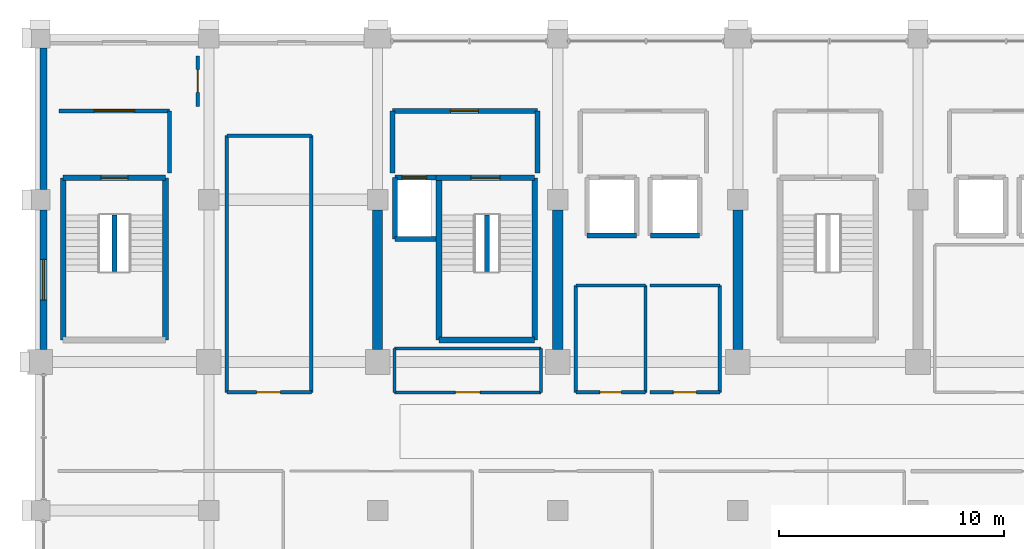
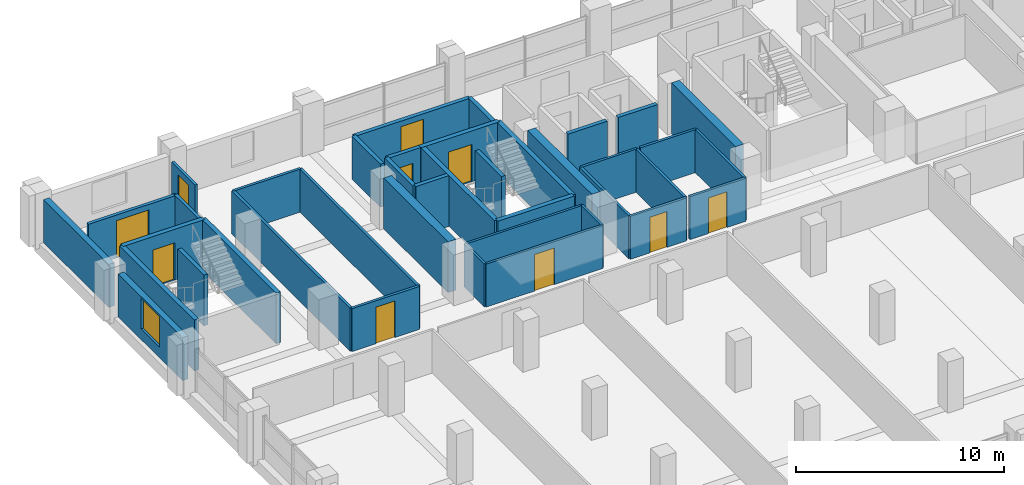
# One storey, part 17 of 21: 40 walls, 10 doors, 1 window, 11 openings.
"""IFC4 building model written with IfcOpenShell, lengths in metres."""

from ifc_helpers import new_model, si_unit, direction, frame, frame_2d, origin, place, context, subcontext, project, spatial, rectangle, extrude, material, layer, layer_set, type_object, element, fill, save


model = new_model("IFC4")

# Units and contexts
model_context = context("Model", 3, precision=1e-05, world=origin(), true_north=direction((0.0, 1.0)))
body_context = subcontext(model_context, "Body", "Model", "MODEL_VIEW")
ifc_project = project(units=[si_unit("LENGTHUNIT", "METRE"), si_unit("AREAUNIT", "SQUARE_METRE"), si_unit("VOLUMEUNIT", "CUBIC_METRE"), si_unit("PLANEANGLEUNIT", "RADIAN"), si_unit("MASSUNIT", "GRAM", prefix="KILO")], contexts=[model_context])

# Site, building, storey
site_placement = place(None, origin())
site = spatial("IfcSite", under=ifc_project, at=site_placement, CompositionType="ELEMENT")
building_placement = place(site_placement, origin())
building = spatial("IfcBuilding", under=site, at=building_placement, Name="Akrevak Sports Hall", CompositionType="ELEMENT")
storey_placement = place(building_placement, frame((0.0, 0.0, 27.550048828125)))
storey = spatial("IfcBuildingStorey", under=building, at=storey_placement, Name="L05", CompositionType="ELEMENT", Elevation=27.550048828125)

# Wall
ifc_material_1 = material(Name="Limestone Ashlar", Category="stone")
ifc_layer_1 = layer(ifc_material_1, 0.070068359375, Name="Limestone Ashlar")
ifc_material_2 = material(Name="Mineral Wool Thermal Insulation", Category="insulation")
ifc_layer_2 = layer(ifc_material_2, 0.090087890625, Name="Mineral Wool Thermal Insulation")
ifc_material_3 = material(Name="Concrete C40/50", Category="concrete")
ifc_layer_3 = layer(ifc_material_3, 0.159912109375, Name="Concrete C40/50")
ifc_layer_set_1 = layer_set([ifc_layer_1, ifc_layer_2, ifc_layer_3], Name="Limestone Ashlar / Mineral Wool Thermal Insulation / Concrete C40/50")
wall_type_1 = type_object("IfcWallType", Name="ARC-WL-EXT-320", PredefinedType="SOLIDWALL", material=ifc_layer_set_1)
wall_1_placement = place(storey_placement, frame((45.159912109375, 69.14990234375, 0.0), z_axis=(0.0, 0.0, 1.0), x_axis=(0.0, -1.0, 0.0)))
element("IfcWall", 1, at=wall_1_placement, inside=storey, type_object=wall_type_1, Name="Tower Stone Facade Wall L05-W28", PredefinedType="SOLIDWALL", context=body_context, shape_type="SweptSolid", body=[
    extrude(rectangle(XDim=6.2998046875, YDim=0.320068359375, at=frame_2d((3.14990234375, 0.0))), origin(), (0.0, 0.0, 1.0), 2.530029296875),
])

# Wall, opening, window
wall_2_placement = place(storey_placement, frame((45.159912109375, 61.949951171875, 0.0), z_axis=(0.0, 0.0, 1.0), x_axis=(0.0, -1.0, 0.0)))
wall_2 = element("IfcWall", 2, at=wall_2_placement, inside=storey, type_object=wall_type_1, Name="Tower Stone Facade Wall L05-W29", PredefinedType="SOLIDWALL", context=body_context, shape_type="SweptSolid", body=[
    extrude(rectangle(XDim=6.199951171875, YDim=0.320068359375, at=frame_2d((3.10009765625, 0.0))), origin(), (0.0, 0.0, 1.0), 2.530029296875),
])
opening_1_placement = place(wall_2_placement, frame((2.199951171875, 0.0, 0.6201171875)))
opening_1 = element("IfcOpeningElement", 3, at=opening_1_placement, cuts=wall_2, Name="Opening WN-54", PredefinedType="OPENING", context=body_context, shape_type="SweptSolid", body=[
    extrude(rectangle(XDim=1.800048828125, YDim=1.81005859375, at=frame_2d((0.89990234375, 0.905029296875))), frame((0.0, 0.171875, 0.0), z_axis=(0.0, -1.0, 0.0), x_axis=(1.0, 0.0, 0.0)), (0.0, 0.0, 1.0), 0.343994140625),
])
ifc_material_4 = material(Name="Thermally Broken Bronze Frame & Double Low-E Glass", Category="glass")
window_type = type_object("IfcWindowType", Name="ARC-WIN-SZ-1800x1810", PartitioningType="SINGLE_PANEL", PredefinedType="WINDOW", material=ifc_material_4)
window_placement = place(opening_1_placement, origin())
window = element("IfcWindow", 4, at=window_placement, inside=storey, type_object=window_type, Name="Tower Window L05-W29", OverallHeight=1.81005859375, OverallWidth=1.800048828125, PartitioningType="SINGLE_PANEL", PredefinedType="WINDOW", context=body_context, shape_type="SweptSolid", body=[
    extrude(rectangle(XDim=1.800048828125, YDim=1.81005859375, at=frame_2d((0.89990234375, 0.905029296875))), frame((0.0, 0.030029296875, 0.0), z_axis=(0.0, -1.0, 0.0), x_axis=(1.0, 0.0, 0.0)), (0.0, 0.0, 1.0), 0.06005859375),
])
fill(opening_1, window)

# Wall, opening, door
ifc_material_5 = material(Name="Acoustic Metal Stud Partition", Category="gypsum")
ifc_layer_4 = layer(ifc_material_5, 0.1298828125, Name="Acoustic Metal Stud Partition")
ifc_layer_set_2 = layer_set([ifc_layer_4], Name="Acoustic Metal Stud Partition")
wall_type_2 = type_object("IfcWallType", Name="ARC-WL-PRT-130", PredefinedType="PARTITIONING", material=ifc_layer_set_2)
wall_3_placement = place(storey_placement, frame((60.75, 53.85009765625, 0.0), z_axis=(0.0, 0.0, 1.0), x_axis=(1.0, 0.0, 0.0)))
wall_3 = element("IfcWall", 5, at=wall_3_placement, inside=storey, type_object=wall_type_2, Name="Interior Partition Federation Technical Office L05-CW (S)", PredefinedType="PARTITIONING", context=body_context, shape_type="SweptSolid", body=[
    extrude(rectangle(XDim=6.5, YDim=0.1298828125, at=frame_2d((3.25, 0.0))), origin(), (0.0, 0.0, 1.0), 2.530029296875),
])
opening_2_placement = place(wall_3_placement, frame((2.699951171875, 0.0, 0.0)))
opening_2 = element("IfcOpeningElement", 6, at=opening_2_placement, cuts=wall_3, Name="Opening ID-04", PredefinedType="OPENING", context=body_context, shape_type="SweptSolid", body=[
    extrude(rectangle(XDim=1.10009765625, YDim=2.14990234375, at=frame_2d((0.550048828125, 1.074951171875))), frame((0.0, 0.076904296875, 0.0), z_axis=(0.0, -1.0, 0.0), x_axis=(1.0, 0.0, 0.0)), (0.0, 0.0, 1.0), 0.15380859375),
])
ifc_material_6 = material(Name="Hardwood Oak Acoustic Leaf", Category="wood")
door_type_1 = type_object("IfcDoorType", Name="ARC-DR-OFF-110x215", OperationType="NOTDEFINED", PredefinedType="DOOR", material=ifc_material_6)
door_1_placement = place(opening_2_placement, frame((1.10009765625, 0.0, 0.0), z_axis=(0.0, 0.0, 1.0), x_axis=(-1.0, 0.0, 0.0)))
door_1 = element("IfcDoor", 7, at=door_1_placement, inside=storey, type_object=door_type_1, Name="Door to Federation Technical Office L05-CW", OperationType="SINGLE_SWING_RIGHT", OverallHeight=2.14990234375, OverallWidth=1.10009765625, PredefinedType="DOOR", context=body_context, shape_type="SweptSolid", body=[
    extrude(rectangle(XDim=1.10009765625, YDim=2.14990234375, at=frame_2d((0.550048828125, 1.074951171875))), frame((0.0, 0.02490234375, 0.0), z_axis=(0.0, -1.0, 0.0), x_axis=(1.0, 0.0, 0.0)), (0.0, 0.0, 1.0), 0.050048828125),
])
fill(opening_2, door_1)

# Walls
wall_4_placement = place(storey_placement, frame((60.75, 55.800048828125, 0.0), z_axis=(0.0, 0.0, 1.0), x_axis=(1.0, 0.0, 0.0)))
element("IfcWall", 8, at=wall_4_placement, inside=storey, type_object=wall_type_2, Name="Interior Partition Federation Technical Office L05-CW (N)", PredefinedType="PARTITIONING", context=body_context, shape_type="SweptSolid", body=[
    extrude(rectangle(XDim=6.5, YDim=0.1298828125, at=frame_2d((3.25, 0.0))), origin(), (0.0, 0.0, 1.0), 2.530029296875),
])
for number, where, z_axis, x_axis, name in (
    (9, (60.75, 53.85009765625, 0.0), (0.0, 0.0, 1.0), (0.0, 1.0, 0.0), "Interior Partition Federation Technical Office L05-CW (W)"),
    (10, (67.25, 53.85009765625, 0.0), (0.0, 0.0, 1.0), (0.0, 1.0, 0.0), "Interior Partition Federation Technical Office L05-CW (E)"),
):
    element("IfcWall", number, at=place(storey_placement, frame(where, z_axis=z_axis, x_axis=x_axis)), inside=storey, type_object=wall_type_2, Name=name, PredefinedType="PARTITIONING", context=body_context, shape_type="SweptSolid", body=[
        extrude(rectangle(XDim=1.949951171875, YDim=0.1298828125, at=frame_2d((0.97509765625, 0.0))), origin(), (0.0, 0.0, 1.0), 2.530029296875),
    ])

# Wall, opening, door
ifc_material_7 = material(Name="Moisture-Resistant Wet-Area Partition", Category="gypsum")
ifc_layer_5 = layer(ifc_material_7, 0.139892578125, Name="Moisture-Resistant Wet-Area Partition")
ifc_layer_set_3 = layer_set([ifc_layer_5], Name="Moisture-Resistant Wet-Area Partition")
wall_type_3 = type_object("IfcWallType", Name="ARC-WL-PRT-140", PredefinedType="PARTITIONING", material=ifc_layer_set_3)
wall_5_placement = place(storey_placement, frame((68.800048828125, 53.85009765625, 0.0), z_axis=(0.0, 0.0, 1.0), x_axis=(1.0, 0.0, 0.0)))
wall_5 = element("IfcWall", 11, at=wall_5_placement, inside=storey, type_object=wall_type_3, Name="Interior Partition Men WC L05 (S)", PredefinedType="PARTITIONING", context=body_context, shape_type="SweptSolid", body=[
    extrude(rectangle(XDim=3.099853515625, YDim=0.139892578125, at=frame_2d((1.5498046875, 0.0))), origin(), (0.0, 0.0, 1.0), 2.530029296875),
])
opening_3_placement = place(wall_5_placement, frame((1.074951171875, 0.0, 0.0)))
opening_3 = element("IfcOpeningElement", 12, at=opening_3_placement, cuts=wall_5, Name="Opening ID-08", PredefinedType="OPENING", context=body_context, shape_type="SweptSolid", body=[
    extrude(rectangle(XDim=0.949951171875, YDim=2.10009765625, at=frame_2d((0.47509765625, 1.050048828125))), frame((0.0, 0.08203125, 0.0), z_axis=(0.0, -1.0, 0.0), x_axis=(1.0, 0.0, 0.0)), (0.0, 0.0, 1.0), 0.163818359375),
])
ifc_material_8 = material(Name="High-Pressure Laminate & Aluminium", Category="aluminium")
door_type_2 = type_object("IfcDoorType", Name="ARC-DR-WC-095x210", OperationType="NOTDEFINED", PredefinedType="DOOR", material=ifc_material_8)
door_2_placement = place(opening_3_placement, frame((0.949951171875, 0.0, 0.0), z_axis=(0.0, 0.0, 1.0), x_axis=(-1.0, 0.0, 0.0)))
door_2 = element("IfcDoor", 13, at=door_2_placement, inside=storey, type_object=door_type_2, Name="Door to Men WC L05", OperationType="SINGLE_SWING_RIGHT", OverallHeight=2.10009765625, OverallWidth=0.949951171875, PredefinedType="DOOR", context=body_context, shape_type="SweptSolid", body=[
    extrude(rectangle(XDim=0.949951171875, YDim=2.10009765625, at=frame_2d((0.47509765625, 1.050048828125))), frame((0.0, 0.02490234375, 0.0), z_axis=(0.0, -1.0, 0.0), x_axis=(1.0, 0.0, 0.0)), (0.0, 0.0, 1.0), 0.050048828125),
])
fill(opening_3, door_2)

# Walls
wall_6_placement = place(storey_placement, frame((68.800048828125, 58.60009765625, 0.0), z_axis=(0.0, 0.0, 1.0), x_axis=(1.0, 0.0, 0.0)))
element("IfcWall", 14, at=wall_6_placement, inside=storey, type_object=wall_type_3, Name="Interior Partition Men WC L05 (N)", PredefinedType="PARTITIONING", context=body_context, shape_type="SweptSolid", body=[
    extrude(rectangle(XDim=3.099853515625, YDim=0.139892578125, at=frame_2d((1.5498046875, 0.0))), origin(), (0.0, 0.0, 1.0), 2.530029296875),
])
for number, where, z_axis, x_axis, name in (
    (15, (68.800048828125, 53.85009765625, 0.0), (0.0, 0.0, 1.0), (0.0, 1.0, 0.0), "Interior Partition Men WC L05 (W)"),
    (16, (71.89990234375, 53.85009765625, 0.0), (0.0, 0.0, 1.0), (0.0, 1.0, 0.0), "Interior Partition Men WC L05 (E)"),
):
    element("IfcWall", number, at=place(storey_placement, frame(where, z_axis=z_axis, x_axis=x_axis)), inside=storey, type_object=wall_type_3, Name=name, PredefinedType="PARTITIONING", context=body_context, shape_type="SweptSolid", body=[
        extrude(rectangle(XDim=4.75, YDim=0.139892578125, at=frame_2d((2.375, 0.0))), origin(), (0.0, 0.0, 1.0), 2.530029296875),
    ])

# Wall, opening, door
wall_7_placement = place(storey_placement, frame((72.10009765625, 53.85009765625, 0.0), z_axis=(0.0, 0.0, 1.0), x_axis=(1.0, 0.0, 0.0)))
wall_7 = element("IfcWall", 17, at=wall_7_placement, inside=storey, type_object=wall_type_3, Name="Interior Partition Accessible WC L05 (S)", PredefinedType="PARTITIONING", context=body_context, shape_type="SweptSolid", body=[
    extrude(rectangle(XDim=3.099853515625, YDim=0.139892578125, at=frame_2d((1.5498046875, 0.0))), origin(), (0.0, 0.0, 1.0), 2.530029296875),
])
opening_4_placement = place(wall_7_placement, frame((1.0400390625, 0.0, 0.0)))
opening_4 = element("IfcOpeningElement", 18, at=opening_4_placement, cuts=wall_7, Name="Opening ID-09", PredefinedType="OPENING", context=body_context, shape_type="SweptSolid", body=[
    extrude(rectangle(XDim=1.02001953125, YDim=2.10009765625, at=frame_2d((0.510009765625, 1.050048828125))), frame((0.0, 0.08203125, 0.0), z_axis=(0.0, -1.0, 0.0), x_axis=(1.0, 0.0, 0.0)), (0.0, 0.0, 1.0), 0.163818359375),
])
door_type_3 = type_object("IfcDoorType", Name="ARC-DR-AWC-102x210", OperationType="NOTDEFINED", PredefinedType="DOOR", material=ifc_material_8)
door_3_placement = place(opening_4_placement, origin())
door_3 = element("IfcDoor", 19, at=door_3_placement, inside=storey, type_object=door_type_3, Name="Door to Accessible WC L05", OperationType="SINGLE_SWING_LEFT", OverallHeight=2.10009765625, OverallWidth=1.02001953125, PredefinedType="DOOR", context=body_context, shape_type="SweptSolid", body=[
    extrude(rectangle(XDim=1.02001953125, YDim=2.10009765625, at=frame_2d((0.510009765625, 1.050048828125))), frame((0.0, 0.02490234375, 0.0), z_axis=(0.0, -1.0, 0.0), x_axis=(1.0, 0.0, 0.0)), (0.0, 0.0, 1.0), 0.050048828125),
])
fill(opening_4, door_3)

# Walls
wall_8_placement = place(storey_placement, frame((72.10009765625, 58.60009765625, 0.0), z_axis=(0.0, 0.0, 1.0), x_axis=(1.0, 0.0, 0.0)))
element("IfcWall", 20, at=wall_8_placement, inside=storey, type_object=wall_type_3, Name="Interior Partition Accessible WC L05 (N)", PredefinedType="PARTITIONING", context=body_context, shape_type="SweptSolid", body=[
    extrude(rectangle(XDim=3.099853515625, YDim=0.139892578125, at=frame_2d((1.5498046875, 0.0))), origin(), (0.0, 0.0, 1.0), 2.530029296875),
])
wall_9_placement = place(storey_placement, frame((75.199951171875, 53.85009765625, 0.0), z_axis=(0.0, 0.0, 1.0), x_axis=(0.0, 1.0, 0.0)))
element("IfcWall", 21, at=wall_9_placement, inside=storey, type_object=wall_type_3, Name="Interior Partition Accessible WC L05 (E)", PredefinedType="PARTITIONING", context=body_context, shape_type="SweptSolid", body=[
    extrude(rectangle(XDim=4.75, YDim=0.139892578125, at=frame_2d((2.375, 0.0))), origin(), (0.0, 0.0, 1.0), 2.530029296875),
])

# Wall, opening, door
ifc_material_9 = material(Name="Double Stud Acoustic Gypsum Partition", Category="gypsum")
ifc_layer_6 = layer(ifc_material_9, 0.14990234375, Name="Double Stud Acoustic Gypsum Partition")
ifc_layer_set_4 = layer_set([ifc_layer_6], Name="Double Stud Acoustic Gypsum Partition")
wall_type_4 = type_object("IfcWallType", Name="ARC-WL-PRT-150", PredefinedType="PARTITIONING", material=ifc_layer_set_4)
wall_10_placement = place(storey_placement, frame((53.300048828125, 53.85009765625, 0.0), z_axis=(0.0, 0.0, 1.0), x_axis=(1.0, 0.0, 0.0)))
wall_10 = element("IfcWall", 22, at=wall_10_placement, inside=storey, type_object=wall_type_4, Name="Interior Partition Federation Research Office L05-W1 (S)", PredefinedType="PARTITIONING", context=body_context, shape_type="SweptSolid", body=[
    extrude(rectangle(XDim=3.75, YDim=0.14990234375, at=frame_2d((1.875, 0.0))), origin(), (0.0, 0.0, 1.0), 2.530029296875),
])
opening_5_placement = place(wall_10_placement, frame((1.324951171875, 0.0, 0.0)))
opening_5 = element("IfcOpeningElement", 23, at=opening_5_placement, cuts=wall_10, Name="Opening ID-05", PredefinedType="OPENING", context=body_context, shape_type="SweptSolid", body=[
    extrude(rectangle(XDim=1.050048828125, YDim=2.14990234375, at=frame_2d((0.52490234375, 1.074951171875))), frame((0.0, 0.0869140625, 0.0), z_axis=(0.0, -1.0, 0.0), x_axis=(1.0, 0.0, 0.0)), (0.0, 0.0, 1.0), 0.173828125),
])
door_type_4 = type_object("IfcDoorType", Name="ARC-DR-OFF-105x215", OperationType="NOTDEFINED", PredefinedType="DOOR", material=ifc_material_6)
door_4_placement = place(opening_5_placement, origin())
door_4 = element("IfcDoor", 24, at=door_4_placement, inside=storey, type_object=door_type_4, Name="Door to Federation Research Office L05-W1", OperationType="SINGLE_SWING_LEFT", OverallHeight=2.14990234375, OverallWidth=1.050048828125, PredefinedType="DOOR", context=body_context, shape_type="SweptSolid", body=[
    extrude(rectangle(XDim=1.050048828125, YDim=2.14990234375, at=frame_2d((0.52490234375, 1.074951171875))), frame((0.0, 0.02490234375, 0.0), z_axis=(0.0, -1.0, 0.0), x_axis=(1.0, 0.0, 0.0)), (0.0, 0.0, 1.0), 0.050048828125),
])
fill(opening_5, door_4)

# Walls
wall_11_placement = place(storey_placement, frame((53.300048828125, 65.25, 0.0), z_axis=(0.0, 0.0, 1.0), x_axis=(1.0, 0.0, 0.0)))
element("IfcWall", 25, at=wall_11_placement, inside=storey, type_object=wall_type_4, Name="Interior Partition Federation Research Office L05-W1 (N)", PredefinedType="PARTITIONING", context=body_context, shape_type="SweptSolid", body=[
    extrude(rectangle(XDim=3.75, YDim=0.14990234375, at=frame_2d((1.875, 0.0))), origin(), (0.0, 0.0, 1.0), 2.530029296875),
])
for number, where, z_axis, x_axis, name in (
    (26, (53.300048828125, 53.85009765625, 0.0), (0.0, 0.0, 1.0), (0.0, 1.0, 0.0), "Interior Partition Federation Research Office L05-W1 (W)"),
    (27, (57.050048828125, 53.85009765625, 0.0), (0.0, 0.0, 1.0), (0.0, 1.0, 0.0), "Interior Partition Federation Research Office L05-W1 (E)"),
):
    element("IfcWall", number, at=place(storey_placement, frame(where, z_axis=z_axis, x_axis=x_axis)), inside=storey, type_object=wall_type_4, Name=name, PredefinedType="PARTITIONING", context=body_context, shape_type="SweptSolid", body=[
        extrude(rectangle(XDim=11.39990234375, YDim=0.14990234375, at=frame_2d((5.699951171875, 0.0))), origin(), (0.0, 0.0, 1.0), 2.530029296875),
    ])

# Wall, opening, door
wall_12_placement = place(storey_placement, frame((52.0, 66.550048828125, 0.0), z_axis=(0.0, 0.0, 1.0), x_axis=(0.0, 1.0, 0.0)))
wall_12 = element("IfcWall", 28, at=wall_12_placement, inside=storey, type_object=wall_type_4, Name="Interior Partition Federation Records Office L05-NW (E)", PredefinedType="PARTITIONING", context=body_context, shape_type="SweptSolid", body=[
    extrude(rectangle(XDim=2.25, YDim=0.14990234375, at=frame_2d((1.125, 0.0))), origin(), (0.0, 0.0, 1.0), 2.530029296875),
])
opening_6_placement = place(wall_12_placement, frame((0.6298828125, 0.0, 0.0)))
opening_6 = element("IfcOpeningElement", 29, at=opening_6_placement, cuts=wall_12, Name="Opening ID-06", PredefinedType="OPENING", context=body_context, shape_type="SweptSolid", body=[
    extrude(rectangle(XDim=1.0, YDim=2.14990234375, at=frame_2d((0.5, 1.074951171875))), frame((0.0, 0.0869140625, 0.0), z_axis=(0.0, -1.0, 0.0), x_axis=(1.0, 0.0, 0.0)), (0.0, 0.0, 1.0), 0.173828125),
])
door_type_5 = type_object("IfcDoorType", Name="ARC-DR-OFF-100x215", OperationType="NOTDEFINED", PredefinedType="DOOR", material=ifc_material_6)
door_5_placement = place(opening_6_placement, origin())
door_5 = element("IfcDoor", 30, at=door_5_placement, inside=storey, type_object=door_type_5, Name="Door to Federation Records Office L05-NW", OperationType="SINGLE_SWING_LEFT", OverallHeight=2.14990234375, OverallWidth=1.0, PredefinedType="DOOR", context=body_context, shape_type="SweptSolid", body=[
    extrude(rectangle(XDim=1.0, YDim=2.14990234375, at=frame_2d((0.5, 1.074951171875))), frame((0.0, 0.02490234375, 0.0), z_axis=(0.0, -1.0, 0.0), x_axis=(1.0, 0.0, 0.0)), (0.0, 0.0, 1.0), 0.050048828125),
])
fill(opening_6, door_5)

ifc_material_10 = material(Name="Autoclaved Aerated Masonry Block", Category="masonry")
ifc_layer_7 = layer(ifc_material_10, 0.179931640625, Name="Autoclaved Aerated Masonry Block")
ifc_layer_set_5 = layer_set([ifc_layer_7], Name="Autoclaved Aerated Masonry Block")
wall_type_5 = type_object("IfcWallType", Name="ARC-WL-PRT-180", PredefinedType="PARTITIONING", material=ifc_layer_set_5)
wall_13_placement = place(storey_placement, frame((45.85009765625, 66.35009765625, 0.0), z_axis=(0.0, 0.0, 1.0), x_axis=(1.0, 0.0, 0.0)))
wall_13 = element("IfcWall", 31, at=wall_13_placement, inside=storey, type_object=wall_type_5, Name="Interior Partition West Wing Stair ST4 Vestibule L05 (N)", PredefinedType="PARTITIONING", context=body_context, shape_type="SweptSolid", body=[
    extrude(rectangle(XDim=4.89990234375, YDim=0.179931640625, at=frame_2d((2.449951171875, 0.0))), origin(), (0.0, 0.0, 1.0), 2.530029296875),
])
opening_7_placement = place(wall_13_placement, frame((1.550048828125, 0.0, 0.0)))
opening_7 = element("IfcOpeningElement", 32, at=opening_7_placement, cuts=wall_13, Name="Opening FD-02", PredefinedType="OPENING", context=body_context, shape_type="SweptSolid", body=[
    extrude(rectangle(XDim=1.800048828125, YDim=2.199951171875, at=frame_2d((0.89990234375, 1.10009765625))), frame((0.0, 0.10205078125, 0.0), z_axis=(0.0, -1.0, 0.0), x_axis=(1.0, 0.0, 0.0)), (0.0, 0.0, 1.0), 0.203857421875),
])
ifc_material_11 = material(Name="Fire-Rated Galvanized Door Steel", Category="steel")
door_type_6 = type_object("IfcDoorType", Name="ARC-DR-FIRE-180x220", OperationType="DOUBLE_DOOR_SINGLE_SWING", PredefinedType="DOOR", material=ifc_material_11)
door_6_placement = place(opening_7_placement, frame((1.800048828125, 0.0, 0.0), z_axis=(0.0, 0.0, 1.0), x_axis=(-1.0, 0.0, 0.0)))
door_6 = element("IfcDoor", 33, at=door_6_placement, inside=storey, type_object=door_type_6, Name="Door to West Wing Stair ST4 Vestibule L05", OperationType="DOUBLE_DOOR_SINGLE_SWING", OverallHeight=2.199951171875, OverallWidth=1.800048828125, PredefinedType="DOOR", context=body_context, shape_type="SweptSolid", body=[
    extrude(rectangle(XDim=1.800048828125, YDim=2.199951171875, at=frame_2d((0.89990234375, 1.10009765625))), frame((0.0, 0.02490234375, 0.0), z_axis=(0.0, -1.0, 0.0), x_axis=(1.0, 0.0, 0.0)), (0.0, 0.0, 1.0), 0.050048828125),
])
fill(opening_7, door_6)

# Walls
wall_14_placement = place(storey_placement, frame((50.75, 63.60009765625, 0.0), z_axis=(0.0, 0.0, 1.0), x_axis=(0.0, 1.0, 0.0)))
element("IfcWall", 34, at=wall_14_placement, inside=storey, type_object=wall_type_5, Name="Interior Partition West Wing Stair ST4 Vestibule L05 (E)", PredefinedType="PARTITIONING", context=body_context, shape_type="SweptSolid", body=[
    extrude(rectangle(XDim=2.75, YDim=0.179931640625, at=frame_2d((1.375, 0.0))), origin(), (0.0, 0.0, 1.0), 2.530029296875),
])
ifc_layer_8 = layer(ifc_material_3, 0.219970703125, Name="Concrete C40/50")
ifc_layer_set_6 = layer_set([ifc_layer_8], Name="Concrete C40/50")
wall_type_6 = type_object("IfcWallType", Name="ARC-WL-PRT-220", PredefinedType="PARTITIONING", material=ifc_layer_set_6)
for number, where, z_axis, x_axis, name in (
    (35, (64.85009765625, 59.215087890625, 0.0), (0.0, 0.0, 1.0), (0.0, 1.0, 0.0), "Stair ST1 Central Spine Wall (L05)"),
    (36, (48.300048828125, 59.215087890625, 0.0), (0.0, 0.0, 1.0), (0.0, 1.0, 0.0), "Stair ST4 Central Spine Wall (L05)"),
):
    element("IfcWall", number, at=place(storey_placement, frame(where, z_axis=z_axis, x_axis=x_axis)), inside=storey, type_object=wall_type_6, Name=name, PredefinedType="PARTITIONING", context=body_context, shape_type="SweptSolid", body=[
        extrude(rectangle(XDim=2.52001953125, YDim=0.219970703125, at=frame_2d((1.260009765625, 0.0))), origin(), (0.0, 0.0, 1.0), 2.989990234375),
    ])

# Wall, opening, door
wall_15_placement = place(storey_placement, frame((60.64990234375, 66.35009765625, 0.0), z_axis=(0.0, 0.0, 1.0), x_axis=(1.0, 0.0, 0.0)))
wall_15 = element("IfcWall", 37, at=wall_15_placement, inside=storey, type_object=wall_type_6, Name="Interior Partition Firefighting Lobby West L05 (N)", PredefinedType="PARTITIONING", context=body_context, shape_type="SweptSolid", body=[
    extrude(rectangle(XDim=6.4501953125, YDim=0.219970703125, at=frame_2d((3.22509765625, 0.0))), origin(), (0.0, 0.0, 1.0), 2.530029296875),
])
opening_8_placement = place(wall_15_placement, frame((2.574951171875, 0.0, 0.0)))
opening_8 = element("IfcOpeningElement", 38, at=opening_8_placement, cuts=wall_15, Name="Opening FD-01", PredefinedType="OPENING", context=body_context, shape_type="SweptSolid", body=[
    extrude(rectangle(XDim=1.25, YDim=2.199951171875, at=frame_2d((0.625, 1.10009765625))), frame((0.0, 0.1220703125, 0.0), z_axis=(0.0, -1.0, 0.0), x_axis=(1.0, 0.0, 0.0)), (0.0, 0.0, 1.0), 0.243896484375),
])
door_type_7 = type_object("IfcDoorType", Name="ARC-DR-FFL-125x220", OperationType="NOTDEFINED", PredefinedType="DOOR", material=ifc_material_11)
door_7_placement = place(opening_8_placement, frame((1.25, 0.0, 0.0), z_axis=(0.0, 0.0, 1.0), x_axis=(-1.0, 0.0, 0.0)))
door_7 = element("IfcDoor", 39, at=door_7_placement, inside=storey, type_object=door_type_7, Name="Door to Firefighting Lobby West L05", OperationType="SINGLE_SWING_RIGHT", OverallHeight=2.199951171875, OverallWidth=1.25, PredefinedType="DOOR", context=body_context, shape_type="SweptSolid", body=[
    extrude(rectangle(XDim=1.25, YDim=2.199951171875, at=frame_2d((0.625, 1.10009765625))), frame((0.0, 0.02490234375, 0.0), z_axis=(0.0, -1.0, 0.0), x_axis=(1.0, 0.0, 0.0)), (0.0, 0.0, 1.0), 0.050048828125),
])
fill(opening_8, door_7)

# Walls
for number, where, z_axis, x_axis, name in (
    (40, (60.64990234375, 63.60009765625, 0.0), (0.0, 0.0, 1.0), (0.0, 1.0, 0.0), "Interior Partition Firefighting Lobby West L05 (W)"),
    (41, (67.10009765625, 63.60009765625, 0.0), (0.0, 0.0, 1.0), (0.0, 1.0, 0.0), "Interior Partition Firefighting Lobby West L05 (E)"),
):
    element("IfcWall", number, at=place(storey_placement, frame(where, z_axis=z_axis, x_axis=x_axis)), inside=storey, type_object=wall_type_6, Name=name, PredefinedType="PARTITIONING", context=body_context, shape_type="SweptSolid", body=[
        extrude(rectangle(XDim=2.75, YDim=0.219970703125, at=frame_2d((1.375, 0.0))), origin(), (0.0, 0.0, 1.0), 2.530029296875),
    ])
ifc_material_12 = material(Name="Concrete C50/60", Category="concrete")
ifc_layer_9 = layer(ifc_material_12, 0.219970703125, Name="Concrete C50/60")
ifc_layer_set_7 = layer_set([ifc_layer_9], Name="Concrete C50/60")
wall_type_7 = type_object("IfcWallType", Name="ARC-WL-SHAFT-220", PredefinedType="SHEAR", material=ifc_layer_set_7)
wall_16_placement = place(storey_placement, frame((60.760009765625, 60.659912109375, 0.0), z_axis=(0.0, 0.0, 1.0), x_axis=(1.0, 0.0, 0.0)))
element("IfcWall", 42, at=wall_16_placement, inside=storey, type_object=wall_type_7, Name="Lift Shaft LF-FF1 Wall S (L05)", PredefinedType="SHEAR", context=body_context, shape_type="SweptSolid", body=[
    extrude(rectangle(XDim=1.840087890625, YDim=0.219970703125, at=frame_2d((0.919921875, 0.0))), origin(), (0.0, 0.0, 1.0), 2.989990234375),
])

# Wall, opening, door
wall_17_placement = place(storey_placement, frame((62.60009765625, 63.389892578125, 0.0), z_axis=(0.0, 0.0, 1.0), x_axis=(-1.0, 0.0, 0.0)))
wall_17 = element("IfcWall", 43, at=wall_17_placement, inside=storey, type_object=wall_type_7, Name="Lift Shaft LF-FF1 Wall N (L05)", PredefinedType="SHEAR", context=body_context, shape_type="SweptSolid", body=[
    extrude(rectangle(XDim=1.840087890625, YDim=0.219970703125, at=frame_2d((0.919921875, 0.0))), origin(), (0.0, 0.0, 1.0), 2.989990234375),
])
opening_9_placement = place(wall_17_placement, frame((0.425048828125, 0.0, 0.0)))
opening_9 = element("IfcOpeningElement", 44, at=opening_9_placement, cuts=wall_17, Name="Opening LD-01", PredefinedType="OPENING", context=body_context, shape_type="SweptSolid", body=[
    extrude(rectangle(XDim=1.10009765625, YDim=2.199951171875, at=frame_2d((0.550048828125, 1.10009765625))), frame((0.0, 0.1220703125, 0.0), z_axis=(0.0, -1.0, 0.0), x_axis=(1.0, 0.0, 0.0)), (0.0, 0.0, 1.0), 0.243896484375),
])
ifc_material_13 = material(Name="Brushed Stainless Steel 304", Category="steel")
door_type_8 = type_object("IfcDoorType", Name="ARC-DR-LD-110x220", OperationType="SLIDING_TO_LEFT", PredefinedType="DOOR", material=ifc_material_13)
door_8_placement = place(opening_9_placement, origin())
door_8 = element("IfcDoor", 45, at=door_8_placement, inside=storey, type_object=door_type_8, Name="Lift LF-FF1 Sliding Landing Door (L05)", OperationType="SLIDING_TO_RIGHT", OverallHeight=2.199951171875, OverallWidth=1.10009765625, PredefinedType="DOOR", context=body_context, shape_type="SweptSolid", body=[
    extrude(rectangle(XDim=1.10009765625, YDim=2.199951171875, at=frame_2d((0.550048828125, 1.10009765625))), frame((0.0, 0.02490234375, 0.0), z_axis=(0.0, -1.0, 0.0), x_axis=(1.0, 0.0, 0.0)), (0.0, 0.0, 1.0), 0.050048828125),
])
fill(opening_9, door_8)

# Walls
wall_18_placement = place(storey_placement, frame((60.760009765625, 63.389892578125, 0.0), z_axis=(0.0, 0.0, 1.0), x_axis=(0.0, -1.0, 0.0)))
element("IfcWall", 46, at=wall_18_placement, inside=storey, type_object=wall_type_7, Name="Lift Shaft LF-FF1 Wall W (L05)", PredefinedType="SHEAR", context=body_context, shape_type="SweptSolid", body=[
    extrude(rectangle(XDim=2.72998046875, YDim=0.219970703125, at=frame_2d((1.364990234375, 0.0))), origin(), (0.0, 0.0, 1.0), 2.989990234375),
])
for number, where, z_axis, x_axis, name in (
    (47, (69.31005859375, 60.81005859375, 0.0), (0.0, 0.0, 1.0), (1.0, 0.0, 0.0), "Lift Shaft LF-P1 Wall S (L05)"),
    (48, (72.110107421875, 60.81005859375, 0.0), (0.0, 0.0, 1.0), (1.0, 0.0, 0.0), "Lift Shaft LF-P2 Wall S (L05)"),
):
    element("IfcWall", number, at=place(storey_placement, frame(where, z_axis=z_axis, x_axis=x_axis)), inside=storey, type_object=wall_type_7, Name=name, PredefinedType="SHEAR", context=body_context, shape_type="SweptSolid", body=[
        extrude(rectangle(XDim=2.179931640625, YDim=0.219970703125, at=frame_2d((1.08984375, 0.0))), origin(), (0.0, 0.0, 1.0), 2.989990234375),
    ])
ifc_layer_10 = layer(ifc_material_12, 0.449951171875, Name="Concrete C50/60")
ifc_layer_set_8 = layer_set([ifc_layer_10], Name="Concrete C50/60")
wall_type_8 = type_object("IfcWallType", Name="STR-WL-CORE-450", PredefinedType="SHEAR", material=ifc_layer_set_8)
for number, where, z_axis, x_axis, name in (
    (49, (60.0, 55.75, 0.0), (0.0, 0.0, 1.0), (0.0, 1.0, 0.0), "Reinforced Concrete Shear Wall SW-W2 (L05)"),
    (50, (68.0, 55.75, 0.0), (0.0, 0.0, 1.0), (0.0, 1.0, 0.0), "Reinforced Concrete Shear Wall SW-C1 (L05)"),
    (51, (76.0, 55.75, 0.0), (0.0, 0.0, 1.0), (0.0, 1.0, 0.0), "Reinforced Concrete Shear Wall SW-W1 (L05)"),
):
    element("IfcWall", number, at=place(storey_placement, frame(where, z_axis=z_axis, x_axis=x_axis)), inside=storey, type_object=wall_type_8, Name=name, PredefinedType="SHEAR", context=body_context, shape_type="SweptSolid", body=[
        extrude(rectangle(XDim=6.199951171875, YDim=0.449951171875, at=frame_2d((3.10009765625, 0.0))), origin(), (0.0, 0.0, 1.0), 2.989990234375),
    ])
ifc_layer_11 = layer(ifc_material_12, 0.25, Name="Concrete C50/60")
ifc_layer_set_9 = layer_set([ifc_layer_11], Name="Concrete C50/60")
wall_type_9 = type_object("IfcWallType", Name="STR-WL-STAIR-250", PredefinedType="SHEAR", material=ifc_layer_set_9)
wall_19_placement = place(storey_placement, frame((62.72509765625, 56.175048828125, 0.0), z_axis=(0.0, 0.0, 1.0), x_axis=(1.0, 0.0, 0.0)))
element("IfcWall", 52, at=wall_19_placement, inside=storey, type_object=wall_type_9, Name="Stair Core ST1 Shear Wall S (L05)", PredefinedType="SHEAR", context=body_context, shape_type="SweptSolid", body=[
    extrude(rectangle(XDim=4.25, YDim=0.25, at=frame_2d((2.125, 0.0))), origin(), (0.0, 0.0, 1.0), 2.989990234375),
])

# Wall, opening, door
wall_20_placement = place(storey_placement, frame((66.97509765625, 63.375, 0.0), z_axis=(0.0, 0.0, 1.0), x_axis=(-1.0, 0.0, 0.0)))
wall_20 = element("IfcWall", 53, at=wall_20_placement, inside=storey, type_object=wall_type_9, Name="Stair Core ST1 Shear Wall N (L05)", PredefinedType="SHEAR", context=body_context, shape_type="SweptSolid", body=[
    extrude(rectangle(XDim=4.375, YDim=0.25, at=frame_2d((2.1875, 0.0))), origin(), (0.0, 0.0, 1.0), 2.989990234375),
])
opening_10_placement = place(wall_20_placement, frame((1.53759765625, 0.0, 0.0)))
opening_10 = element("IfcOpeningElement", 54, at=opening_10_placement, cuts=wall_20, Name="Opening SD-01", PredefinedType="OPENING", context=body_context, shape_type="SweptSolid", body=[
    extrude(rectangle(XDim=1.300048828125, YDim=2.199951171875, at=frame_2d((0.64990234375, 1.10009765625))), frame((0.0, 0.136962890625, 0.0), z_axis=(0.0, -1.0, 0.0), x_axis=(1.0, 0.0, 0.0)), (0.0, 0.0, 1.0), 0.27392578125),
])
door_type_9 = type_object("IfcDoorType", Name="ARC-DR-STAIR-130x220", OperationType="NOTDEFINED", PredefinedType="DOOR", material=ifc_material_11)
door_9_placement = place(opening_10_placement, origin())
door_9 = element("IfcDoor", 55, at=door_9_placement, inside=storey, type_object=door_type_9, Name="Exit Stair ST1 Door (L05)", OperationType="SINGLE_SWING_LEFT", OverallHeight=2.199951171875, OverallWidth=1.300048828125, PredefinedType="DOOR", context=body_context, shape_type="SweptSolid", body=[
    extrude(rectangle(XDim=1.300048828125, YDim=2.199951171875, at=frame_2d((0.64990234375, 1.10009765625))), frame((0.0, 0.02490234375, 0.0), z_axis=(0.0, -1.0, 0.0), x_axis=(1.0, 0.0, 0.0)), (0.0, 0.0, 1.0), 0.050048828125),
])
fill(opening_10, door_9)

# Walls
wall_21_placement = place(storey_placement, frame((62.72509765625, 63.25, 0.0), z_axis=(0.0, 0.0, 1.0), x_axis=(0.0, -1.0, 0.0)))
element("IfcWall", 56, at=wall_21_placement, inside=storey, type_object=wall_type_9, Name="Stair Core ST1 Shear Wall W (L05)", PredefinedType="SHEAR", context=body_context, shape_type="SweptSolid", body=[
    extrude(rectangle(XDim=7.074951171875, YDim=0.25, at=frame_2d((3.53759765625, 0.0))), origin(), (0.0, 0.0, 1.0), 2.989990234375),
])
wall_22_placement = place(storey_placement, frame((66.97509765625, 56.175048828125, 0.0), z_axis=(0.0, 0.0, 1.0), x_axis=(0.0, 1.0, 0.0)))
element("IfcWall", 57, at=wall_22_placement, inside=storey, type_object=wall_type_9, Name="Stair Core ST1 Shear Wall E (L05)", PredefinedType="SHEAR", context=body_context, shape_type="SweptSolid", body=[
    extrude(rectangle(XDim=7.199951171875, YDim=0.25, at=frame_2d((3.60009765625, 0.0))), origin(), (0.0, 0.0, 1.0), 2.989990234375),
])

# Wall, opening, door
wall_23_placement = place(storey_placement, frame((50.574951171875, 63.375, 0.0), z_axis=(0.0, 0.0, 1.0), x_axis=(-1.0, 0.0, 0.0)))
wall_23 = element("IfcWall", 58, at=wall_23_placement, inside=storey, type_object=wall_type_9, Name="Stair Core ST4 Shear Wall N (L05)", PredefinedType="SHEAR", context=body_context, shape_type="SweptSolid", body=[
    extrude(rectangle(XDim=4.550048828125, YDim=0.25, at=frame_2d((2.27490234375, 0.0))), origin(), (0.0, 0.0, 1.0), 2.989990234375),
])
opening_11_placement = place(wall_23_placement, frame((1.675048828125, 0.0, 0.0)))
opening_11 = element("IfcOpeningElement", 59, at=opening_11_placement, cuts=wall_23, Name="Opening SD-02", PredefinedType="OPENING", context=body_context, shape_type="SweptSolid", body=[
    extrude(rectangle(XDim=1.199951171875, YDim=2.199951171875, at=frame_2d((0.60009765625, 1.10009765625))), frame((0.0, 0.136962890625, 0.0), z_axis=(0.0, -1.0, 0.0), x_axis=(1.0, 0.0, 0.0)), (0.0, 0.0, 1.0), 0.27392578125),
])
door_type_10 = type_object("IfcDoorType", Name="ARC-DR-STAIR-120x220", OperationType="NOTDEFINED", PredefinedType="DOOR", material=ifc_material_11)
door_10_placement = place(opening_11_placement, origin())
door_10 = element("IfcDoor", 60, at=door_10_placement, inside=storey, type_object=door_type_10, Name="Exit Stair ST4 Door (L05)", OperationType="SINGLE_SWING_RIGHT", OverallHeight=2.199951171875, OverallWidth=1.199951171875, PredefinedType="DOOR", context=body_context, shape_type="SweptSolid", body=[
    extrude(rectangle(XDim=1.199951171875, YDim=2.199951171875, at=frame_2d((0.60009765625, 1.10009765625))), frame((0.0, 0.02490234375, 0.0), z_axis=(0.0, -1.0, 0.0), x_axis=(1.0, 0.0, 0.0)), (0.0, 0.0, 1.0), 0.050048828125),
])
fill(opening_11, door_10)

# Walls
for number, where, z_axis, x_axis, name in (
    (61, (46.02490234375, 63.375, 0.0), (0.0, 0.0, 1.0), (0.0, -1.0, 0.0), "Stair Core ST4 Shear Wall W (L05)"),
    (62, (50.574951171875, 56.175048828125, 0.0), (0.0, 0.0, 1.0), (0.0, 1.0, 0.0), "Stair Core ST4 Shear Wall E (L05)"),
):
    element("IfcWall", number, at=place(storey_placement, frame(where, z_axis=z_axis, x_axis=x_axis)), inside=storey, type_object=wall_type_9, Name=name, PredefinedType="SHEAR", context=body_context, shape_type="SweptSolid", body=[
        extrude(rectangle(XDim=7.199951171875, YDim=0.25, at=frame_2d((3.60009765625, 0.0))), origin(), (0.0, 0.0, 1.0), 2.989990234375),
    ])

save(model, "model.ifc")
